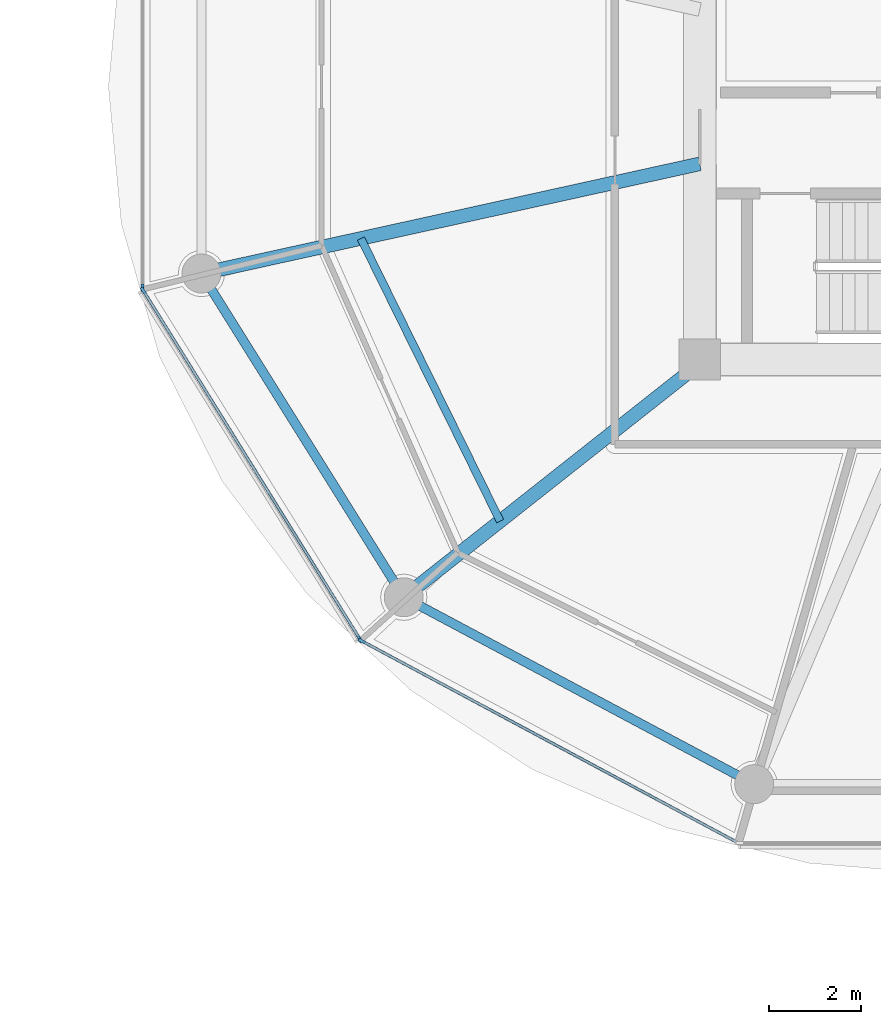
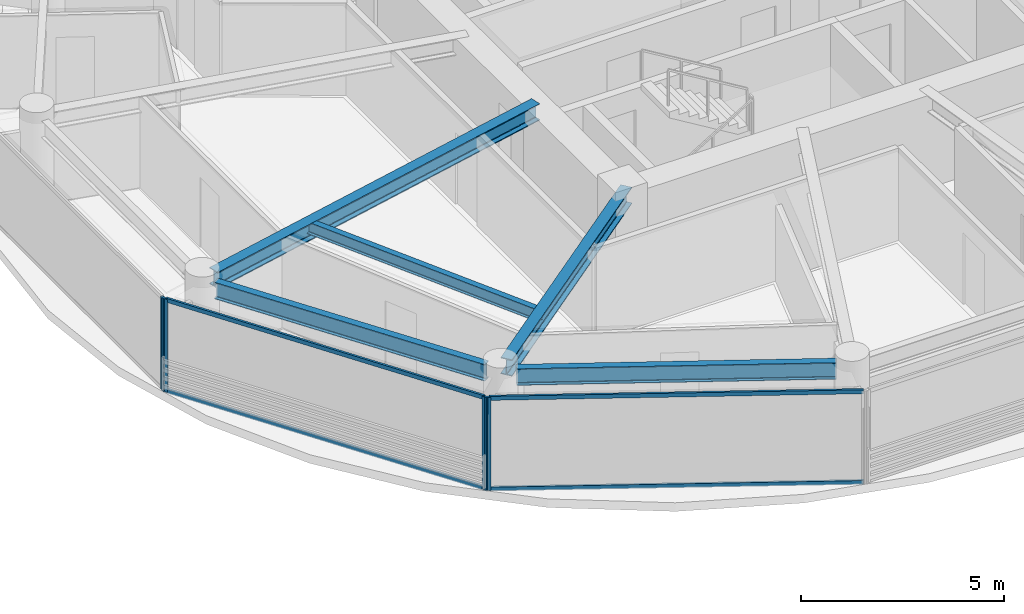
# One storey, part 6 of 25: 8 members, 5 beams, 3 elements without a shape of their own.
"""IFC4 building model written with IfcOpenShell, lengths in metres."""

from ifc_helpers import new_model, si_unit, direction, frame, origin, origin_2d, place, context, subcontext, project, spatial, rectangle, i_section, extrude, source, transform, mapped, material, layer, layer_set, material_profile, profile_set, type_object, type_shapes, element, aggregate, save


model = new_model("IFC4")

# Units and contexts
model_context = context("Model", 3, precision=1e-05, world=origin(), true_north=direction((0.0, 1.0)))
body_context = subcontext(model_context, "Body", "Model", "MODEL_VIEW")
ifc_project = project(units=[si_unit("LENGTHUNIT", "METRE"), si_unit("AREAUNIT", "SQUARE_METRE"), si_unit("VOLUMEUNIT", "CUBIC_METRE"), si_unit("PLANEANGLEUNIT", "RADIAN"), si_unit("MASSUNIT", "GRAM", prefix="KILO")], contexts=[model_context])

# Site, building, storey
site_placement = place(None, origin())
site = spatial("IfcSite", under=ifc_project, at=site_placement, CompositionType="ELEMENT")
building_placement = place(site_placement, origin())
building = spatial("IfcBuilding", under=site, at=building_placement, Name="Norrkilde Senior Care Towers", CompositionType="ELEMENT")
storey_placement = place(building_placement, frame((0.0, 0.0, 99.300048828125)))
storey = spatial("IfcBuildingStorey", under=building, at=storey_placement, Name="L30", CompositionType="ELEMENT", Elevation=99.300048828125)

# Beams
ifc_material_1 = material(Name="Steel S355", Category="steel")
ifc_material_profile_1 = material_profile(ifc_material_1, i_section(OverallWidth=0.199951171875, OverallDepth=0.5, WebThickness=0.01025390625, FlangeThickness=0.01611328125, FilletRadius=0.02099609375, at=origin_2d()), Name="IPE 500")
ifc_profile_set_1 = profile_set([ifc_material_profile_1], Name="Steel S355")
beam_type_1 = type_object("IfcBeamType", Name="Perimeter Ring Spandrel Z2 IPE500", PredefinedType="SPANDREL", material=ifc_profile_set_1)
shared_shape_1 = source(origin(), body_context, "Body", "SweptSolid", [
    extrude(i_section(OverallWidth=0.199951171875, OverallDepth=0.5, WebThickness=0.01025390625, FlangeThickness=0.01611328125, FilletRadius=0.02099609375, at=origin_2d()), origin(), (0.0, 0.0, 1.0), 7.55615234375),
])
beam_1_placement = place(storey_placement, frame((9.68505859375, -4.40283203125, 2.5400390625), z_axis=(0.529981514254, -0.848009194849, 0.0), x_axis=(0.848009194849, 0.529981514254, 0.0)))
element("IfcBeam", 1, at=beam_1_placement, inside=storey, type_object=beam_type_1, Name="L30 Drum E Perimeter Spandrel 07", PredefinedType="SPANDREL", context=body_context, shape_type="MappedRepresentation", body=[
    mapped(shared_shape_1, transform((0.0, 0.0, 0.0), x_axis=(1.0, 0.0, 0.0), y_axis=(0.0, 1.0, 0.0), z_axis=(0.0, 0.0, 1.0), scale=1.0)),
])
ifc_material_profile_2 = material_profile(ifc_material_1, i_section(OverallWidth=0.300048828125, OverallDepth=0.5, WebThickness=0.014404296875, FlangeThickness=0.028076171875, FilletRadius=0.027099609375, at=origin_2d()), Name="HEB 500")
ifc_profile_set_2 = profile_set([ifc_material_profile_2], Name="Steel S355")
beam_type_2 = type_object("IfcBeamType", Name="Radial Floor Beam Z2 HEB500", PredefinedType="BEAM", material=ifc_profile_set_2)
shared_shape_2 = source(origin(), body_context, "Body", "SweptSolid", [
    extrude(i_section(OverallWidth=0.300048828125, OverallDepth=0.5, WebThickness=0.014404296875, FlangeThickness=0.028076171875, FilletRadius=0.027099609375, at=origin_2d()), origin(), (0.0, 0.0, 1.0), 10.744384765625),
])
beam_2_placement = place(storey_placement, frame((20.35009765625, -1.683837890625, 2.5400390625), z_axis=(-0.976618711422, -0.214978818724, 0.0), x_axis=(0.214978818724, -0.976618711422, 0.0)))
element("IfcBeam", 2, at=beam_2_placement, inside=storey, type_object=beam_type_2, Name="L30 Drum E Radial Floor Beam 07", PredefinedType="BEAM", context=body_context, shape_type="MappedRepresentation", body=[
    mapped(shared_shape_2, transform((0.0, 0.0, 0.0), x_axis=(1.0, 0.0, 0.0), y_axis=(0.0, 1.0, 0.0), z_axis=(0.0, 0.0, 1.0), scale=1.0)),
])
shared_shape_3 = source(origin(), body_context, "Body", "SweptSolid", [
    extrude(i_section(OverallWidth=0.199951171875, OverallDepth=0.5, WebThickness=0.01025390625, FlangeThickness=0.01611328125, FilletRadius=0.02099609375, at=origin_2d()), origin(), (0.0, 0.0, 1.0), 7.892333984375),
])
type_shapes(beam_type_1, [shared_shape_1, shared_shape_3])
beam_3_placement = place(storey_placement, frame((14.233642578125, -11.318115234375, 2.5400390625), z_axis=(0.882350372282, -0.47059305194, 0.0), x_axis=(0.47059305194, 0.882350372282, 0.0)))
element("IfcBeam", 3, at=beam_3_placement, inside=storey, type_object=beam_type_1, Name="L30 Drum E Perimeter Spandrel 08", PredefinedType="SPANDREL", context=body_context, shape_type="MappedRepresentation", body=[
    mapped(shared_shape_3, transform((0.0, 0.0, 0.0), x_axis=(1.0, 0.0, 0.0), y_axis=(0.0, 1.0, 0.0), z_axis=(0.0, 0.0, 1.0), scale=1.0)),
])
shared_shape_4 = source(origin(), body_context, "Body", "SweptSolid", [
    extrude(i_section(OverallWidth=0.300048828125, OverallDepth=0.5, WebThickness=0.014404296875, FlangeThickness=0.028076171875, FilletRadius=0.027099609375, at=origin_2d()), origin(), (0.0, 0.0, 1.0), 7.985595703125),
])
type_shapes(beam_type_2, [shared_shape_2, shared_shape_4])
beam_4_placement = place(storey_placement, frame((20.463623046875, -5.949951171875, 2.5400390625), z_axis=(-0.784858505144, -0.619675017169, 0.0), x_axis=(0.619675017169, -0.784858505144, 0.0)))
element("IfcBeam", 4, at=beam_4_placement, inside=storey, type_object=beam_type_2, Name="L30 Drum E Radial Floor Beam 08", PredefinedType="BEAM", context=body_context, shape_type="MappedRepresentation", body=[
    mapped(shared_shape_4, transform((0.0, 0.0, 0.0), x_axis=(1.0, 0.0, 0.0), y_axis=(0.0, 1.0, 0.0), z_axis=(0.0, 0.0, 1.0), scale=1.0)),
])
ifc_material_profile_3 = material_profile(ifc_material_1, i_section(OverallWidth=0.169921875, OverallDepth=0.360107421875, WebThickness=0.008056640625, FlangeThickness=0.0126953125, FilletRadius=0.01806640625, at=origin_2d()), Name="IPE 360")
ifc_profile_set_3 = profile_set([ifc_material_profile_3], Name="Steel S355")
beam_type_3 = type_object("IfcBeamType", Name="Secondary Floor Joist IPE360", PredefinedType="JOIST", material=ifc_profile_set_3)
shared_shape_5 = source(origin(), body_context, "Body", "SweptSolid", [
    extrude(i_section(OverallWidth=0.169921875, OverallDepth=0.360107421875, WebThickness=0.008056640625, FlangeThickness=0.0126953125, FilletRadius=0.01806640625, at=origin_2d()), origin(), (0.0, 0.0, 1.0), 6.87353515625),
])
type_shapes(beam_type_3, [shared_shape_5])
beam_5_placement = place(storey_placement, frame((12.958984375, -3.310791015625, 2.60986328125), z_axis=(0.44184939592, -0.897089243791, 0.0), x_axis=(0.897089243791, 0.44184939592, 0.0)))
element("IfcBeam", 5, at=beam_5_placement, inside=storey, type_object=beam_type_3, Name="L30 Drum E Secondary Floor Joist 3", PredefinedType="JOIST", context=body_context, shape_type="MappedRepresentation", body=[
    mapped(shared_shape_5, transform((0.0, 0.0, 0.0), x_axis=(1.0, 0.0, 0.0), y_axis=(0.0, 1.0, 0.0), z_axis=(0.0, 0.0, 1.0), scale=1.0)),
])

# Curtain wall, member
ifc_material_2 = material(Name="Triple Low-E Insulated Glazing", Category="glass")
ifc_layer = layer(ifc_material_2, 0.195068359375)
ifc_layer_set = layer_set([ifc_layer], Name="Triple Low-E Insulated Glazing")
curtain_wall_type = type_object("IfcCurtainWallType", Name="CW3 Zone 2 Assisted Living Curtain Wall", PredefinedType="NOTDEFINED", material=ifc_layer_set)
curtain_wall_1_placement = place(storey_placement, origin())
curtain_wall_1 = element("IfcCurtainWall", 6, at=curtain_wall_1_placement, inside=storey, type_object=curtain_wall_type, Name="L30 Drum E Curtain Wall 05", PredefinedType="NOTDEFINED")
ifc_material_3 = material(Name="Anodised Aluminium", Category="aluminium")
ifc_material_profile_4 = material_profile(ifc_material_3, rectangle(XDim=0.06494140625, YDim=0.159912109375, at=origin_2d()), Name="ALU MULL 65x160")
ifc_profile_set_4 = profile_set([ifc_material_profile_4], Name="Anodised Aluminium")
member_type_1 = type_object("IfcMemberType", Name="Curtain Wall Mullion Z1-Z2 65x160", PredefinedType="MULLION", material=ifc_profile_set_4)
shared_shape_6 = source(origin(), body_context, "Body", "SweptSolid", [
    extrude(rectangle(XDim=0.06494140625, YDim=0.159912109375, at=origin_2d()), origin(), (0.0, 0.0, 1.0), 2.7900390625),
])
type_shapes(member_type_1, [shared_shape_6])
member_1_placement = place(storey_placement, frame((8.1962890625, -4.38818359375, 0.0), z_axis=(0.0, 0.0, 1.0), x_axis=(-1.0, 0.0, 0.0)))
member_1 = element("IfcMember", 7, at=member_1_placement, type_object=member_type_1, Name="CW-3 mullion 1", PredefinedType="MULLION", context=body_context, shape_type="MappedRepresentation", body=[
    mapped(shared_shape_6, transform((0.0, 0.0, 0.0), x_axis=(1.0, 0.0, 0.0), y_axis=(0.0, 1.0, 0.0), z_axis=(0.0, 0.0, 1.0), scale=1.0)),
])
aggregate(curtain_wall_1, [member_1])

# Curtain wall, members
curtain_wall_2_placement = place(storey_placement, origin())
curtain_wall_2 = element("IfcCurtainWall", 8, at=curtain_wall_2_placement, inside=storey, type_object=curtain_wall_type, Name="L30 Drum E Curtain Wall 06", PredefinedType="NOTDEFINED")
member_2_placement = place(storey_placement, frame((12.936279296875, -12.0498046875, 0.0), z_axis=(0.0, 0.0, 1.0), x_axis=(-0.849410171862, -0.527733228002, 0.0)))
member_2 = element("IfcMember", 9, at=member_2_placement, type_object=member_type_1, Name="CW-3 mullion 1", PredefinedType="MULLION", context=body_context, shape_type="MappedRepresentation", body=[
    mapped(shared_shape_6, transform((0.0, 0.0, 0.0), x_axis=(1.0, 0.0, 0.0), y_axis=(0.0, 1.0, 0.0), z_axis=(0.0, 0.0, 1.0), scale=1.0)),
])
member_3_placement = place(storey_placement, frame((8.21337890625, -4.4482421875, 0.0), z_axis=(0.0, 0.0, 1.0), x_axis=(-0.849410171862, -0.527733228002, 0.0)))
member_3 = element("IfcMember", 10, at=member_3_placement, type_object=member_type_1, Name="CW-3 mullion 2", PredefinedType="MULLION", context=body_context, shape_type="MappedRepresentation", body=[
    mapped(shared_shape_6, transform((0.0, 0.0, 0.0), x_axis=(1.0, 0.0, 0.0), y_axis=(0.0, 1.0, 0.0), z_axis=(0.0, 0.0, 1.0), scale=1.0)),
])

# Curtain wall, member
curtain_wall_3_placement = place(storey_placement, origin())
curtain_wall_3 = element("IfcCurtainWall", 11, at=curtain_wall_3_placement, inside=storey, type_object=curtain_wall_type, Name="L30 Drum E Curtain Wall 07", PredefinedType="NOTDEFINED")
member_4_placement = place(storey_placement, frame((12.98193359375, -12.0927734375, 0.0), z_axis=(0.0, 0.0, 1.0), x_axis=(-0.472769402511, -0.881186184668, 0.0)))
member_4 = element("IfcMember", 12, at=member_4_placement, type_object=member_type_1, Name="CW-3 mullion 2", PredefinedType="MULLION", context=body_context, shape_type="MappedRepresentation", body=[
    mapped(shared_shape_6, transform((0.0, 0.0, 0.0), x_axis=(1.0, 0.0, 0.0), y_axis=(0.0, 1.0, 0.0), z_axis=(0.0, 0.0, 1.0), scale=1.0)),
])

# Member
ifc_material_profile_5 = material_profile(ifc_material_3, rectangle(XDim=0.06005859375, YDim=0.1201171875, at=origin_2d()), Name="ALU TRAN 60x120")
ifc_profile_set_5 = profile_set([ifc_material_profile_5], Name="Anodised Aluminium")
member_type_2 = type_object("IfcMemberType", Name="Curtain Wall Transom Typical 60x120", PredefinedType="USERDEFINED", material=ifc_profile_set_5)
shared_shape_7 = source(origin(), body_context, "Body", "SweptSolid", [
    extrude(rectangle(XDim=0.06005859375, YDim=0.1201171875, at=origin_2d()), origin(), (0.0, 0.0, 1.0), 8.88427734375),
])
member_5_placement = place(storey_placement, frame((12.919189453125, -12.022216796875, 0.030029296875), z_axis=(-0.527749293309, 0.849400190377, 0.0), x_axis=(-0.849400190377, -0.527749293309, 0.0)))
member_5 = element("IfcMember", 13, at=member_5_placement, type_object=member_type_2, Name="CW-3 transom 1.1", ObjectType="TRANSOM", PredefinedType="USERDEFINED", context=body_context, shape_type="MappedRepresentation", body=[
    mapped(shared_shape_7, transform((0.0, 0.0, 0.0), x_axis=(1.0, 0.0, 0.0), y_axis=(0.0, 1.0, 0.0), z_axis=(0.0, 0.0, 1.0), scale=1.0)),
])

member_6_placement = place(storey_placement, frame((12.919189453125, -12.022216796875, 2.760009765625), z_axis=(-0.527749293309, 0.849400190377, 0.0), x_axis=(-0.849400190377, -0.527749293309, 0.0)))
member_6 = element("IfcMember", 14, at=member_6_placement, type_object=member_type_2, Name="CW-3 transom 1.2", ObjectType="TRANSOM", PredefinedType="USERDEFINED", context=body_context, shape_type="MappedRepresentation", body=[
    mapped(shared_shape_7, transform((0.0, 0.0, 0.0), x_axis=(1.0, 0.0, 0.0), y_axis=(0.0, 1.0, 0.0), z_axis=(0.0, 0.0, 1.0), scale=1.0)),
])

aggregate(curtain_wall_2, [member_2, member_3, member_5, member_6])

shared_shape_8 = source(origin(), body_context, "Body", "SweptSolid", [
    extrude(rectangle(XDim=0.06005859375, YDim=0.1201171875, at=origin_2d()), origin(), (0.0, 0.0, 1.0), 9.220458984375),
])
type_shapes(member_type_2, [shared_shape_7, shared_shape_8])
member_7_placement = place(storey_placement, frame((21.1357421875, -16.46728515625, 0.030029296875), z_axis=(-0.881188517866, 0.472765053681, 0.0), x_axis=(-0.472765053681, -0.881188517866, 0.0)))
member_7 = element("IfcMember", 15, at=member_7_placement, type_object=member_type_2, Name="CW-3 transom 1.1", ObjectType="TRANSOM", PredefinedType="USERDEFINED", context=body_context, shape_type="MappedRepresentation", body=[
    mapped(shared_shape_8, transform((0.0, 0.0, 0.0), x_axis=(1.0, 0.0, 0.0), y_axis=(0.0, 1.0, 0.0), z_axis=(0.0, 0.0, 1.0), scale=1.0)),
])

member_8_placement = place(storey_placement, frame((21.1357421875, -16.46728515625, 2.760009765625), z_axis=(-0.881188517866, 0.472765053681, 0.0), x_axis=(-0.472765053681, -0.881188517866, 0.0)))
member_8 = element("IfcMember", 16, at=member_8_placement, type_object=member_type_2, Name="CW-3 transom 1.2", ObjectType="TRANSOM", PredefinedType="USERDEFINED", context=body_context, shape_type="MappedRepresentation", body=[
    mapped(shared_shape_8, transform((0.0, 0.0, 0.0), x_axis=(1.0, 0.0, 0.0), y_axis=(0.0, 1.0, 0.0), z_axis=(0.0, 0.0, 1.0), scale=1.0)),
])

aggregate(curtain_wall_3, [member_4, member_7, member_8])

save(model, "model.ifc")
